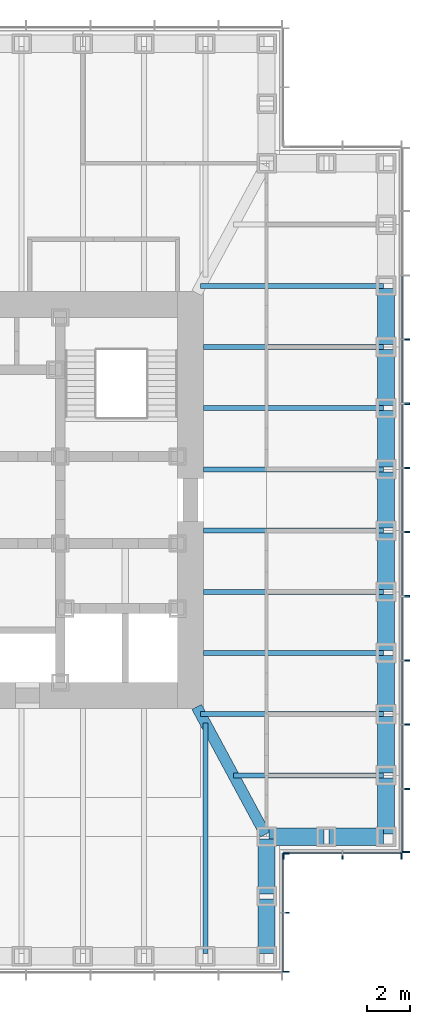
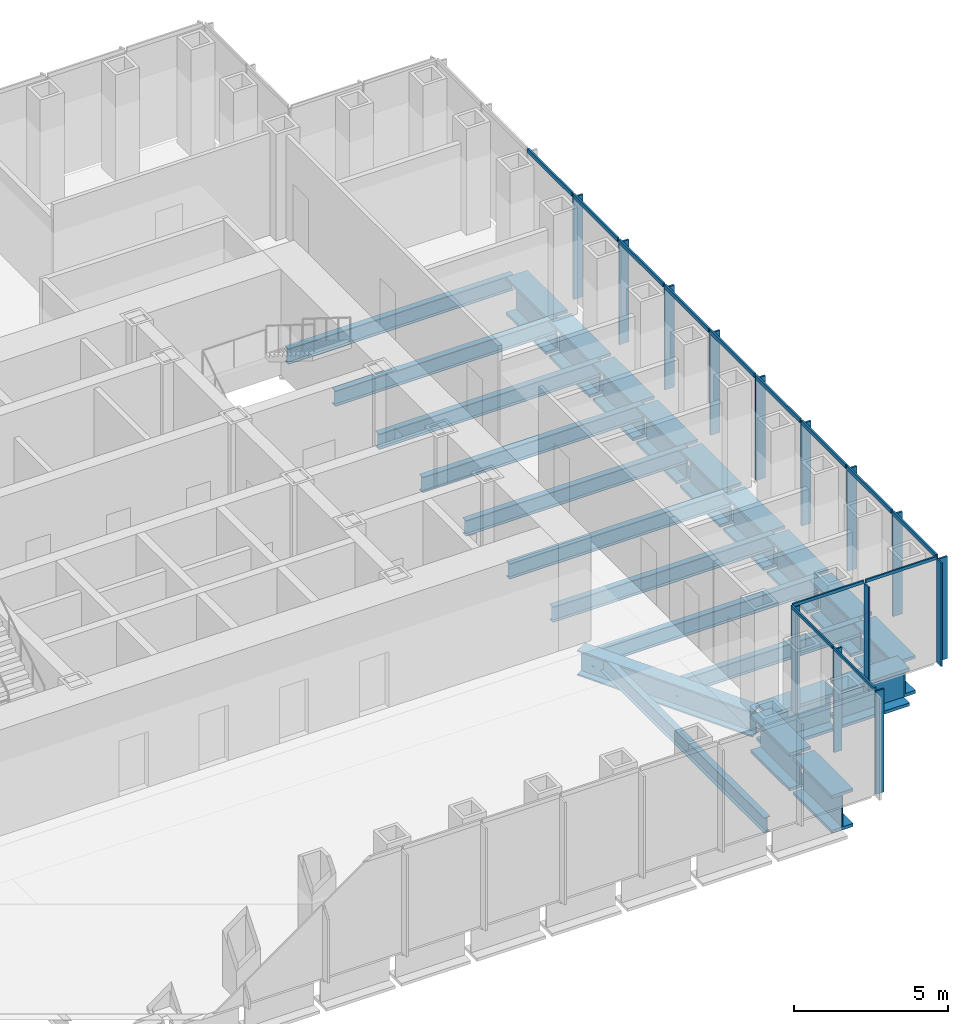
# One storey, part 4 of 16: 28 members, 24 beams, 3 elements without a shape of their own.
"""IFC4 building model written with IfcOpenShell, lengths in metres."""

from ifc_helpers import new_model, si_unit, direction, frame, origin, origin_2d, place, context, subcontext, project, spatial, rectangle, i_section, extrude, material, material_profile, profile_set, type_object, element, aggregate, save


model = new_model("IFC4")

# Units and contexts
model_context = context("Model", 3, precision=1e-05, world=origin(), true_north=direction((0.0, 1.0)))
body_context = subcontext(model_context, "Body", "Model", "MODEL_VIEW")
ifc_project = project(units=[si_unit("LENGTHUNIT", "METRE"), si_unit("AREAUNIT", "SQUARE_METRE"), si_unit("VOLUMEUNIT", "CUBIC_METRE"), si_unit("PLANEANGLEUNIT", "RADIAN"), si_unit("MASSUNIT", "GRAM", prefix="KILO")], contexts=[model_context])

# Site, building, storey
site_placement = place(None, origin())
site = spatial("IfcSite", under=ifc_project, at=site_placement, CompositionType="ELEMENT")
building_placement = place(site_placement, origin())
building = spatial("IfcBuilding", under=site, at=building_placement, Name="Daluyong Arena Tower", CompositionType="ELEMENT")
storey_placement = place(building_placement, frame((0.0, 0.0, 206.5)))
storey = spatial("IfcBuildingStorey", under=building, at=storey_placement, Name="L46", CompositionType="ELEMENT", Elevation=206.5)

# Curtain wall, members
ifc_material_1 = material(Name="Bronze anodised aluminium and glass", Category="aluminium")
curtain_wall_type_1 = type_object("IfcCurtainWallType", Name="Curtain wall CW3", PredefinedType="USERDEFINED", material=ifc_material_1)
curtain_wall_1_placement = place(storey_placement, origin())
curtain_wall_1 = element("IfcCurtainWall", 1, at=curtain_wall_1_placement, inside=storey, type_object=curtain_wall_type_1, Name="curtain wall L46 E", ObjectType="UNITISED CURTAIN WALL", PredefinedType="USERDEFINED")
ifc_material_2 = material(Name="Bronze anodised aluminium fin", Category="aluminium")
ifc_material_profile_1 = material_profile(ifc_material_2, rectangle(XDim=0.35009765625, YDim=0.070068359375, at=origin_2d()))
ifc_profile_set_1 = profile_set([ifc_material_profile_1], Name="Bronze anodised aluminium fin")
member_type_1 = type_object("IfcMemberType", Name="CW3 bronze fin 350x70", PredefinedType="MULLION", material=ifc_profile_set_1)
member_1_placement = place(storey_placement, frame((77.925048828125, 63.784912109375, 0.0), z_axis=(0.0, 0.0, 1.0), x_axis=(-1.0, 0.0, 0.0)))
member_1 = element("IfcMember", 2, at=member_1_placement, type_object=member_type_1, Name="curtain wall L46 E fin 1", PredefinedType="MULLION", context=body_context, shape_type="SweptSolid", body=[
    extrude(rectangle(XDim=0.35009765625, YDim=0.070068359375, at=origin_2d()), origin(), (0.0, 0.0, 1.0), 4.0400390625),
])
member_2_placement = place(storey_placement, frame((77.925048828125, 66.70458984375, 0.0), z_axis=(0.0, 0.0, 1.0), x_axis=(-1.0, 0.0, 0.0)))
member_2 = element("IfcMember", 3, at=member_2_placement, type_object=member_type_1, Name="curtain wall L46 E fin 2", PredefinedType="MULLION", context=body_context, shape_type="SweptSolid", body=[
    extrude(rectangle(XDim=0.35009765625, YDim=0.070068359375, at=origin_2d()), origin(), (0.0, 0.0, 1.0), 4.0400390625),
])
member_3_placement = place(storey_placement, frame((77.925048828125, 69.6591796875, 0.0), z_axis=(0.0, 0.0, 1.0), x_axis=(-1.0, 0.0, 0.0)))
member_3 = element("IfcMember", 4, at=member_3_placement, type_object=member_type_1, Name="curtain wall L46 E fin 3", PredefinedType="MULLION", context=body_context, shape_type="SweptSolid", body=[
    extrude(rectangle(XDim=0.35009765625, YDim=0.070068359375, at=origin_2d()), origin(), (0.0, 0.0, 1.0), 4.0400390625),
])
member_4_placement = place(storey_placement, frame((77.925048828125, 72.613525390625, 0.0), z_axis=(0.0, 0.0, 1.0), x_axis=(-1.0, 0.0, 0.0)))
member_4 = element("IfcMember", 5, at=member_4_placement, type_object=member_type_1, Name="curtain wall L46 E fin 4", PredefinedType="MULLION", context=body_context, shape_type="SweptSolid", body=[
    extrude(rectangle(XDim=0.35009765625, YDim=0.070068359375, at=origin_2d()), origin(), (0.0, 0.0, 1.0), 4.0400390625),
])
member_5_placement = place(storey_placement, frame((77.925048828125, 75.568115234375, 0.0), z_axis=(0.0, 0.0, 1.0), x_axis=(-1.0, 0.0, 0.0)))
member_5 = element("IfcMember", 6, at=member_5_placement, type_object=member_type_1, Name="curtain wall L46 E fin 5", PredefinedType="MULLION", context=body_context, shape_type="SweptSolid", body=[
    extrude(rectangle(XDim=0.35009765625, YDim=0.070068359375, at=origin_2d()), origin(), (0.0, 0.0, 1.0), 4.0400390625),
])
member_6_placement = place(storey_placement, frame((77.925048828125, 78.522705078125, 0.0), z_axis=(0.0, 0.0, 1.0), x_axis=(-1.0, 0.0, 0.0)))
member_6 = element("IfcMember", 7, at=member_6_placement, type_object=member_type_1, Name="curtain wall L46 E fin 6", PredefinedType="MULLION", context=body_context, shape_type="SweptSolid", body=[
    extrude(rectangle(XDim=0.35009765625, YDim=0.070068359375, at=origin_2d()), origin(), (0.0, 0.0, 1.0), 4.0400390625),
])
member_7_placement = place(storey_placement, frame((77.925048828125, 81.477294921875, 0.0), z_axis=(0.0, 0.0, 1.0), x_axis=(-1.0, 0.0, 0.0)))
member_7 = element("IfcMember", 8, at=member_7_placement, type_object=member_type_1, Name="curtain wall L46 E fin 7", PredefinedType="MULLION", context=body_context, shape_type="SweptSolid", body=[
    extrude(rectangle(XDim=0.35009765625, YDim=0.070068359375, at=origin_2d()), origin(), (0.0, 0.0, 1.0), 4.0400390625),
])
member_8_placement = place(storey_placement, frame((77.925048828125, 84.431884765625, 0.0), z_axis=(0.0, 0.0, 1.0), x_axis=(-1.0, 0.0, 0.0)))
member_8 = element("IfcMember", 9, at=member_8_placement, type_object=member_type_1, Name="curtain wall L46 E fin 8", PredefinedType="MULLION", context=body_context, shape_type="SweptSolid", body=[
    extrude(rectangle(XDim=0.35009765625, YDim=0.070068359375, at=origin_2d()), origin(), (0.0, 0.0, 1.0), 4.0400390625),
])
member_9_placement = place(storey_placement, frame((77.925048828125, 87.386474609375, 0.0), z_axis=(0.0, 0.0, 1.0), x_axis=(-1.0, 0.0, 0.0)))
member_9 = element("IfcMember", 10, at=member_9_placement, type_object=member_type_1, Name="curtain wall L46 E fin 9", PredefinedType="MULLION", context=body_context, shape_type="SweptSolid", body=[
    extrude(rectangle(XDim=0.35009765625, YDim=0.070068359375, at=origin_2d()), origin(), (0.0, 0.0, 1.0), 4.0400390625),
])
ifc_material_3 = material(Name="Bronze anodised aluminium", Category="aluminium")
ifc_material_profile_2 = material_profile(ifc_material_3, rectangle(XDim=0.070068359375, YDim=0.159912109375, at=origin_2d()))
ifc_profile_set_2 = profile_set([ifc_material_profile_2], Name="Bronze anodised aluminium")
member_type_2 = type_object("IfcMemberType", Name="CW3 stack transom 160x70", PredefinedType="USERDEFINED", material=ifc_profile_set_2)
member_10_placement = place(storey_placement, frame((77.75, 63.820068359375, 4.1201171875), z_axis=(0.0, 1.0, 0.0), x_axis=(-1.0, 0.0, 0.0)))
member_10 = element("IfcMember", 11, at=member_10_placement, type_object=member_type_2, Name="curtain wall L46 E transom 1", ObjectType="TRANSOM", PredefinedType="USERDEFINED", context=body_context, shape_type="SweptSolid", body=[
    extrude(rectangle(XDim=0.070068359375, YDim=0.159912109375, at=origin_2d()), origin(), (0.0, 0.0, 1.0), 2.849365234375),
])
member_11_placement = place(storey_placement, frame((77.75, 66.739501953125, 4.1201171875), z_axis=(0.0, 1.0, 0.0), x_axis=(-1.0, 0.0, 0.0)))
member_11 = element("IfcMember", 12, at=member_11_placement, type_object=member_type_2, Name="curtain wall L46 E transom 2", ObjectType="TRANSOM", PredefinedType="USERDEFINED", context=body_context, shape_type="SweptSolid", body=[
    extrude(rectangle(XDim=0.070068359375, YDim=0.159912109375, at=origin_2d()), origin(), (0.0, 0.0, 1.0), 2.884521484375),
])
member_12_placement = place(storey_placement, frame((77.75, 69.694091796875, 4.1201171875), z_axis=(0.0, 1.0, 0.0), x_axis=(-1.0, 0.0, 0.0)))
member_12 = element("IfcMember", 13, at=member_12_placement, type_object=member_type_2, Name="curtain wall L46 E transom 3", ObjectType="TRANSOM", PredefinedType="USERDEFINED", context=body_context, shape_type="SweptSolid", body=[
    extrude(rectangle(XDim=0.070068359375, YDim=0.159912109375, at=origin_2d()), origin(), (0.0, 0.0, 1.0), 2.884521484375),
])
member_13_placement = place(storey_placement, frame((77.75, 72.648681640625, 4.1201171875), z_axis=(0.0, 1.0, 0.0), x_axis=(-1.0, 0.0, 0.0)))
member_13 = element("IfcMember", 14, at=member_13_placement, type_object=member_type_2, Name="curtain wall L46 E transom 4", ObjectType="TRANSOM", PredefinedType="USERDEFINED", context=body_context, shape_type="SweptSolid", body=[
    extrude(rectangle(XDim=0.070068359375, YDim=0.159912109375, at=origin_2d()), origin(), (0.0, 0.0, 1.0), 2.884521484375),
])
member_14_placement = place(storey_placement, frame((77.75, 75.603271484375, 4.1201171875), z_axis=(0.0, 1.0, 0.0), x_axis=(-1.0, 0.0, 0.0)))
member_14 = element("IfcMember", 15, at=member_14_placement, type_object=member_type_2, Name="curtain wall L46 E transom 5", ObjectType="TRANSOM", PredefinedType="USERDEFINED", context=body_context, shape_type="SweptSolid", body=[
    extrude(rectangle(XDim=0.070068359375, YDim=0.159912109375, at=origin_2d()), origin(), (0.0, 0.0, 1.0), 2.884521484375),
])
member_15_placement = place(storey_placement, frame((77.75, 78.5576171875, 4.1201171875), z_axis=(0.0, 1.0, 0.0), x_axis=(-1.0, 0.0, 0.0)))
member_15 = element("IfcMember", 16, at=member_15_placement, type_object=member_type_2, Name="curtain wall L46 E transom 6", ObjectType="TRANSOM", PredefinedType="USERDEFINED", context=body_context, shape_type="SweptSolid", body=[
    extrude(rectangle(XDim=0.070068359375, YDim=0.159912109375, at=origin_2d()), origin(), (0.0, 0.0, 1.0), 2.884765625),
])
member_16_placement = place(storey_placement, frame((77.75, 81.51220703125, 4.1201171875), z_axis=(0.0, 1.0, 0.0), x_axis=(-1.0, 0.0, 0.0)))
member_16 = element("IfcMember", 17, at=member_16_placement, type_object=member_type_2, Name="curtain wall L46 E transom 7", ObjectType="TRANSOM", PredefinedType="USERDEFINED", context=body_context, shape_type="SweptSolid", body=[
    extrude(rectangle(XDim=0.070068359375, YDim=0.159912109375, at=origin_2d()), origin(), (0.0, 0.0, 1.0), 2.884521484375),
])
member_17_placement = place(storey_placement, frame((77.75, 84.466796875, 4.1201171875), z_axis=(0.0, 1.0, 0.0), x_axis=(-1.0, 0.0, 0.0)))
member_17 = element("IfcMember", 18, at=member_17_placement, type_object=member_type_2, Name="curtain wall L46 E transom 8", ObjectType="TRANSOM", PredefinedType="USERDEFINED", context=body_context, shape_type="SweptSolid", body=[
    extrude(rectangle(XDim=0.070068359375, YDim=0.159912109375, at=origin_2d()), origin(), (0.0, 0.0, 1.0), 2.884521484375),
])
member_18_placement = place(storey_placement, frame((77.75, 87.42138671875, 4.1201171875), z_axis=(0.0, 1.0, 0.0), x_axis=(-1.0, 0.0, 0.0)))
member_18 = element("IfcMember", 19, at=member_18_placement, type_object=member_type_2, Name="curtain wall L46 E transom 9", ObjectType="TRANSOM", PredefinedType="USERDEFINED", context=body_context, shape_type="SweptSolid", body=[
    extrude(rectangle(XDim=0.070068359375, YDim=0.159912109375, at=origin_2d()), origin(), (0.0, 0.0, 1.0), 2.884521484375),
])
aggregate(curtain_wall_1, [member_1, member_2, member_3, member_4, member_5, member_6, member_7, member_8, member_9, member_10, member_11, member_12, member_13, member_14, member_15, member_16, member_17, member_18])

ifc_material_4 = material(Name="Bronze anodised aluminium and glass", Category="aluminium")
curtain_wall_type_2 = type_object("IfcCurtainWallType", Name="Curtain wall CW7", PredefinedType="USERDEFINED", material=ifc_material_4)
curtain_wall_2_placement = place(storey_placement, origin())
curtain_wall_2 = element("IfcCurtainWall", 20, at=curtain_wall_2_placement, inside=storey, type_object=curtain_wall_type_2, Name="curtain wall L46 SE-E", ObjectType="UNITISED CURTAIN WALL", PredefinedType="USERDEFINED")
ifc_material_5 = material(Name="Bronze anodised aluminium fin", Category="aluminium")
ifc_material_profile_3 = material_profile(ifc_material_5, rectangle(XDim=0.300048828125, YDim=0.06005859375, at=origin_2d()))
ifc_profile_set_3 = profile_set([ifc_material_profile_3], Name="Bronze anodised aluminium fin")
member_type_3 = type_object("IfcMemberType", Name="CW7 bronze fin 300x60", PredefinedType="MULLION", material=ifc_profile_set_3)
member_19_placement = place(storey_placement, frame((72.39990234375, 58.280029296875, 0.0), z_axis=(0.0, 0.0, 1.0), x_axis=(-1.0, 0.0, 0.0)))
member_19 = element("IfcMember", 21, at=member_19_placement, type_object=member_type_3, Name="curtain wall L46 SE-E fin 1", PredefinedType="MULLION", context=body_context, shape_type="SweptSolid", body=[
    extrude(rectangle(XDim=0.300048828125, YDim=0.06005859375, at=origin_2d()), origin(), (0.0, 0.0, 1.0), 4.080078125),
])
member_20_placement = place(storey_placement, frame((72.39990234375, 61.0, 0.0), z_axis=(0.0, 0.0, 1.0), x_axis=(-1.0, 0.0, 0.0)))
member_20 = element("IfcMember", 22, at=member_20_placement, type_object=member_type_3, Name="curtain wall L46 SE-E fin 2", PredefinedType="MULLION", context=body_context, shape_type="SweptSolid", body=[
    extrude(rectangle(XDim=0.300048828125, YDim=0.06005859375, at=origin_2d()), origin(), (0.0, 0.0, 1.0), 4.080078125),
])
member_21_placement = place(storey_placement, frame((72.39990234375, 63.719970703125, 0.0), z_axis=(0.0, 0.0, 1.0), x_axis=(-1.0, 0.0, 0.0)))
member_21 = element("IfcMember", 23, at=member_21_placement, type_object=member_type_3, Name="curtain wall L46 SE-E fin 3", PredefinedType="MULLION", context=body_context, shape_type="SweptSolid", body=[
    extrude(rectangle(XDim=0.300048828125, YDim=0.06005859375, at=origin_2d()), origin(), (0.0, 0.0, 1.0), 4.080078125),
])

curtain_wall_3_placement = place(storey_placement, origin())
curtain_wall_3 = element("IfcCurtainWall", 24, at=curtain_wall_3_placement, inside=storey, type_object=curtain_wall_type_2, Name="curtain wall L46 SE-S", ObjectType="UNITISED CURTAIN WALL", PredefinedType="USERDEFINED")
member_22_placement = place(storey_placement, frame((72.280029296875, 63.60009765625, 0.0), z_axis=(0.0, 0.0, 1.0), x_axis=(0.0, 1.0, 0.0)))
member_22 = element("IfcMember", 25, at=member_22_placement, type_object=member_type_3, Name="curtain wall L46 SE-S fin 1", PredefinedType="MULLION", context=body_context, shape_type="SweptSolid", body=[
    extrude(rectangle(XDim=0.300048828125, YDim=0.06005859375, at=origin_2d()), origin(), (0.0, 0.0, 1.0), 4.080078125),
])
member_23_placement = place(storey_placement, frame((75.0, 63.60009765625, 0.0), z_axis=(0.0, 0.0, 1.0), x_axis=(0.0, 1.0, 0.0)))
member_23 = element("IfcMember", 26, at=member_23_placement, type_object=member_type_3, Name="curtain wall L46 SE-S fin 2", PredefinedType="MULLION", context=body_context, shape_type="SweptSolid", body=[
    extrude(rectangle(XDim=0.300048828125, YDim=0.06005859375, at=origin_2d()), origin(), (0.0, 0.0, 1.0), 4.080078125),
])
member_24_placement = place(storey_placement, frame((77.719970703125, 63.60009765625, 0.0), z_axis=(0.0, 0.0, 1.0), x_axis=(0.0, 1.0, 0.0)))
member_24 = element("IfcMember", 27, at=member_24_placement, type_object=member_type_3, Name="curtain wall L46 SE-S fin 3", PredefinedType="MULLION", context=body_context, shape_type="SweptSolid", body=[
    extrude(rectangle(XDim=0.300048828125, YDim=0.06005859375, at=origin_2d()), origin(), (0.0, 0.0, 1.0), 4.080078125),
])

# Member
ifc_material_6 = material(Name="Bronze anodised aluminium", Category="aluminium")
ifc_material_profile_4 = material_profile(ifc_material_6, rectangle(XDim=0.06005859375, YDim=0.1201171875, at=origin_2d()))
ifc_profile_set_4 = profile_set([ifc_material_profile_4], Name="Bronze anodised aluminium")
member_type_4 = type_object("IfcMemberType", Name="CW7 stack transom 120x60", PredefinedType="USERDEFINED", material=ifc_profile_set_4)
member_25_placement = place(storey_placement, frame((72.25, 58.31005859375, 4.139892578125), z_axis=(0.0, 1.0, 0.0), x_axis=(-1.0, 0.0, 0.0)))
member_25 = element("IfcMember", 28, at=member_25_placement, type_object=member_type_4, Name="curtain wall L46 SE-E transom 1", ObjectType="TRANSOM", PredefinedType="USERDEFINED", context=body_context, shape_type="SweptSolid", body=[
    extrude(rectangle(XDim=0.06005859375, YDim=0.1201171875, at=origin_2d()), origin(), (0.0, 0.0, 1.0), 2.659912109375),
])

member_26_placement = place(storey_placement, frame((72.25, 61.030029296875, 4.139892578125), z_axis=(0.0, 1.0, 0.0), x_axis=(-1.0, 0.0, 0.0)))
member_26 = element("IfcMember", 29, at=member_26_placement, type_object=member_type_4, Name="curtain wall L46 SE-E transom 2", ObjectType="TRANSOM", PredefinedType="USERDEFINED", context=body_context, shape_type="SweptSolid", body=[
    extrude(rectangle(XDim=0.06005859375, YDim=0.1201171875, at=origin_2d()), origin(), (0.0, 0.0, 1.0), 2.659912109375),
])

aggregate(curtain_wall_2, [member_19, member_20, member_21, member_25, member_26])

member_27_placement = place(storey_placement, frame((72.31005859375, 63.75, 4.139892578125), z_axis=(1.0, 0.0, 0.0), x_axis=(0.0, 1.0, 0.0)))
member_27 = element("IfcMember", 30, at=member_27_placement, type_object=member_type_4, Name="curtain wall L46 SE-S transom 1", ObjectType="TRANSOM", PredefinedType="USERDEFINED", context=body_context, shape_type="SweptSolid", body=[
    extrude(rectangle(XDim=0.06005859375, YDim=0.1201171875, at=origin_2d()), origin(), (0.0, 0.0, 1.0), 2.659912109375),
])

member_28_placement = place(storey_placement, frame((75.030029296875, 63.75, 4.139892578125), z_axis=(1.0, 0.0, 0.0), x_axis=(0.0, 1.0, 0.0)))
member_28 = element("IfcMember", 31, at=member_28_placement, type_object=member_type_4, Name="curtain wall L46 SE-S transom 2", ObjectType="TRANSOM", PredefinedType="USERDEFINED", context=body_context, shape_type="SweptSolid", body=[
    extrude(rectangle(XDim=0.06005859375, YDim=0.1201171875, at=origin_2d()), origin(), (0.0, 0.0, 1.0), 2.659912109375),
])

aggregate(curtain_wall_3, [member_22, member_23, member_24, member_27, member_28])

# Beams
ifc_material_7 = material(Name="Steel ASTM A572 Grade 50", Category="steel")
ifc_material_profile_5 = material_profile(ifc_material_7, i_section(OverallWidth=0.5, OverallDepth=1.0, WebThickness=0.03, FlangeThickness=0.06, at=origin_2d()))
ifc_profile_set_5 = profile_set([ifc_material_profile_5], Name="Steel ASTM A572 Grade 50")
beam_type_1 = type_object("IfcBeamType", Name="Corner girder TB1000X500", PredefinedType="BEAM", material=ifc_profile_set_5)
beam_1_placement = place(storey_placement, frame((71.445556640625, 64.601318359375, -0.659912109375), z_axis=(-0.474119475266, 0.880460517669, 0.0), x_axis=(-0.880460517669, -0.474119475266, 0.0)))
element("IfcBeam", 32, at=beam_1_placement, inside=storey, type_object=beam_type_1, Name="corner girder DG2", PredefinedType="BEAM", context=body_context, shape_type="SweptSolid", body=[
    extrude(i_section(OverallWidth=0.5, OverallDepth=1.0, WebThickness=0.03, FlangeThickness=0.06, at=origin_2d()), origin(), (0.0, 0.0, 1.0), 6.66748046875),
])
ifc_material_8 = material(Name="Steel ASTM A992 Grade 50", Category="steel")
ifc_material_profile_6 = material_profile(ifc_material_8, i_section(OverallWidth=0.22900390625, OverallDepth=0.612060546875, WebThickness=0.011962890625, FlangeThickness=0.01953125, at=origin_2d()))
ifc_profile_set_6 = profile_set([ifc_material_profile_6], Name="Steel ASTM A992 Grade 50")
beam_type_2 = type_object("IfcBeamType", Name="Floor beam W24X84", PredefinedType="BEAM", material=ifc_profile_set_6)
beam_2_placement = place(storey_placement, frame((68.681884765625, 59.114990234375, -0.466064453125), z_axis=(0.0, 1.0, 0.0), x_axis=(-1.0, 0.0, 0.0)))
element("IfcBeam", 33, at=beam_2_placement, inside=storey, type_object=beam_type_2, Name="floor beam FB3", PredefinedType="BEAM", context=body_context, shape_type="SweptSolid", body=[
    extrude(i_section(OverallWidth=0.22900390625, OverallDepth=0.612060546875, WebThickness=0.011962890625, FlangeThickness=0.01953125, at=origin_2d()), origin(), (0.0, 0.0, 1.0), 10.618896484375),
])
beam_3_placement = place(storey_placement, frame((76.885009765625, 67.318115234375, -0.466064453125), z_axis=(-1.0, 0.0, 0.0), x_axis=(0.0, -1.0, 0.0)))
element("IfcBeam", 34, at=beam_3_placement, inside=storey, type_object=beam_type_2, Name="floor beam FB3", PredefinedType="BEAM", context=body_context, shape_type="SweptSolid", body=[
    extrude(i_section(OverallWidth=0.22900390625, OverallDepth=0.612060546875, WebThickness=0.011962890625, FlangeThickness=0.01953125, at=origin_2d()), origin(), (0.0, 0.0, 1.0), 6.902587890625),
])
beam_4_placement = place(storey_placement, frame((76.885009765625, 70.136474609375, -0.466064453125), z_axis=(-1.0, 0.0, 0.0), x_axis=(0.0, -1.0, 0.0)))
element("IfcBeam", 35, at=beam_4_placement, inside=storey, type_object=beam_type_2, Name="floor beam FB3", PredefinedType="BEAM", context=body_context, shape_type="SweptSolid", body=[
    extrude(i_section(OverallWidth=0.22900390625, OverallDepth=0.612060546875, WebThickness=0.011962890625, FlangeThickness=0.01953125, at=origin_2d()), origin(), (0.0, 0.0, 1.0), 8.419921875),
])
for number, where, z_axis, x_axis, name in (
    (36, (76.885009765625, 72.95458984375, -0.466064453125), (-1.0, 0.0, 0.0), (0.0, -1.0, 0.0), "floor beam FB3"),
    (37, (76.885009765625, 75.772705078125, -0.466064453125), (-1.0, 0.0, 0.0), (0.0, -1.0, 0.0), "floor beam FB3"),
    (38, (76.885009765625, 78.5908203125, -0.466064453125), (-1.0, 0.0, 0.0), (0.0, -1.0, 0.0), "floor beam FB3"),
    (39, (76.885009765625, 81.4091796875, -0.466064453125), (-1.0, 0.0, 0.0), (0.0, -1.0, 0.0), "floor beam FB3"),
    (40, (76.885009765625, 84.227294921875, -0.466064453125), (-1.0, 0.0, 0.0), (0.0, -1.0, 0.0), "floor beam FB3"),
    (41, (76.885009765625, 87.04541015625, -0.466064453125), (-1.0, 0.0, 0.0), (0.0, -1.0, 0.0), "floor beam FB3"),
):
    element("IfcBeam", number, at=place(storey_placement, frame(where, z_axis=z_axis, x_axis=x_axis)), inside=storey, type_object=beam_type_2, Name=name, PredefinedType="BEAM", context=body_context, shape_type="SweptSolid", body=[
        extrude(i_section(OverallWidth=0.22900390625, OverallDepth=0.612060546875, WebThickness=0.011962890625, FlangeThickness=0.01953125, at=origin_2d()), origin(), (0.0, 0.0, 1.0), 8.284912109375),
    ])
beam_5_placement = place(storey_placement, frame((76.885009765625, 89.863525390625, -0.466064453125), z_axis=(-1.0, 0.0, 0.0), x_axis=(0.0, -1.0, 0.0)))
element("IfcBeam", 42, at=beam_5_placement, inside=storey, type_object=beam_type_2, Name="floor beam FB3", PredefinedType="BEAM", context=body_context, shape_type="SweptSolid", body=[
    extrude(i_section(OverallWidth=0.22900390625, OverallDepth=0.612060546875, WebThickness=0.011962890625, FlangeThickness=0.01953125, at=origin_2d()), origin(), (0.0, 0.0, 1.0), 8.419921875),
])
ifc_material_9 = material(Name="Steel ASTM A588 Grade 50", Category="steel")
ifc_material_profile_7 = material_profile(ifc_material_9, i_section(OverallWidth=0.800048828125, OverallDepth=1.5, WebThickness=0.05, FlangeThickness=0.12, at=origin_2d()))
ifc_profile_set_7 = profile_set([ifc_material_profile_7], Name="Steel ASTM A588 Grade 50")
beam_type_3 = type_object("IfcBeamType", Name="Spandrel Z3 PG1500X800", PredefinedType="SPANDREL", material=ifc_profile_set_7)
for number, where, z_axis, x_axis, name in (
    (43, (71.5, 59.114990234375, -0.909912109375), (0.0, 1.0, 0.0), (-1.0, 0.0, 0.0), "spandrel z3 SB7"),
    (44, (71.5, 61.864990234375, -0.909912109375), (0.0, 1.0, 0.0), (-1.0, 0.0, 0.0), "spandrel z3 SB7"),
    (45, (71.614990234375, 64.5, -0.909912109375), (1.0, 0.0, 0.0), (0.0, 1.0, 0.0), "spandrel z3 SB7"),
    (46, (74.364990234375, 64.5, -0.909912109375), (1.0, 0.0, 0.0), (0.0, 1.0, 0.0), "spandrel z3 SB7"),
):
    element("IfcBeam", number, at=place(storey_placement, frame(where, z_axis=z_axis, x_axis=x_axis)), inside=storey, type_object=beam_type_3, Name=name, PredefinedType="SPANDREL", context=body_context, shape_type="SweptSolid", body=[
        extrude(i_section(OverallWidth=0.800048828125, OverallDepth=1.5, WebThickness=0.05, FlangeThickness=0.12, at=origin_2d()), origin(), (0.0, 0.0, 1.0), 2.52001953125),
    ])
beam_6_placement = place(storey_placement, frame((77.0, 64.614990234375, -0.909912109375), z_axis=(0.0, 1.0, 0.0), x_axis=(-1.0, 0.0, 0.0)))
element("IfcBeam", 47, at=beam_6_placement, inside=storey, type_object=beam_type_3, Name="spandrel z3 SB7", PredefinedType="SPANDREL", context=body_context, shape_type="SweptSolid", body=[
    extrude(i_section(OverallWidth=0.800048828125, OverallDepth=1.5, WebThickness=0.05, FlangeThickness=0.12, at=origin_2d()), origin(), (0.0, 0.0, 1.0), 2.588134765625),
])
beam_7_placement = place(storey_placement, frame((77.0, 67.43310546875, -0.909912109375), z_axis=(0.0, 1.0, 0.0), x_axis=(-1.0, 0.0, 0.0)))
element("IfcBeam", 48, at=beam_7_placement, inside=storey, type_object=beam_type_3, Name="spandrel z3 SB7", PredefinedType="SPANDREL", context=body_context, shape_type="SweptSolid", body=[
    extrude(i_section(OverallWidth=0.800048828125, OverallDepth=1.5, WebThickness=0.05, FlangeThickness=0.12, at=origin_2d()), origin(), (0.0, 0.0, 1.0), 2.58837890625),
])
for number, where, z_axis, x_axis, name in (
    (49, (77.0, 70.25146484375, -0.909912109375), (0.0, 1.0, 0.0), (-1.0, 0.0, 0.0), "spandrel z3 SB7"),
    (50, (77.0, 73.069580078125, -0.909912109375), (0.0, 1.0, 0.0), (-1.0, 0.0, 0.0), "spandrel z3 SB7"),
    (51, (77.0, 75.8876953125, -0.909912109375), (0.0, 1.0, 0.0), (-1.0, 0.0, 0.0), "spandrel z3 SB7"),
):
    element("IfcBeam", number, at=place(storey_placement, frame(where, z_axis=z_axis, x_axis=x_axis)), inside=storey, type_object=beam_type_3, Name=name, PredefinedType="SPANDREL", context=body_context, shape_type="SweptSolid", body=[
        extrude(i_section(OverallWidth=0.800048828125, OverallDepth=1.5, WebThickness=0.05, FlangeThickness=0.12, at=origin_2d()), origin(), (0.0, 0.0, 1.0), 2.588134765625),
    ])
beam_8_placement = place(storey_placement, frame((77.0, 78.705810546875, -0.909912109375), z_axis=(0.0, 1.0, 0.0), x_axis=(-1.0, 0.0, 0.0)))
element("IfcBeam", 52, at=beam_8_placement, inside=storey, type_object=beam_type_3, Name="spandrel z3 SB7", PredefinedType="SPANDREL", context=body_context, shape_type="SweptSolid", body=[
    extrude(i_section(OverallWidth=0.800048828125, OverallDepth=1.5, WebThickness=0.05, FlangeThickness=0.12, at=origin_2d()), origin(), (0.0, 0.0, 1.0), 2.58837890625),
])
for number, where, z_axis, x_axis, name in (
    (53, (77.0, 81.524169921875, -0.909912109375), (0.0, 1.0, 0.0), (-1.0, 0.0, 0.0), "spandrel z3 SB7"),
    (54, (77.0, 84.34228515625, -0.909912109375), (0.0, 1.0, 0.0), (-1.0, 0.0, 0.0), "spandrel z3 SB7"),
    (55, (77.0, 87.160400390625, -0.909912109375), (0.0, 1.0, 0.0), (-1.0, 0.0, 0.0), "spandrel z3 SB7"),
):
    element("IfcBeam", number, at=place(storey_placement, frame(where, z_axis=z_axis, x_axis=x_axis)), inside=storey, type_object=beam_type_3, Name=name, PredefinedType="SPANDREL", context=body_context, shape_type="SweptSolid", body=[
        extrude(i_section(OverallWidth=0.800048828125, OverallDepth=1.5, WebThickness=0.05, FlangeThickness=0.12, at=origin_2d()), origin(), (0.0, 0.0, 1.0), 2.588134765625),
    ])

save(model, "model.ifc")
